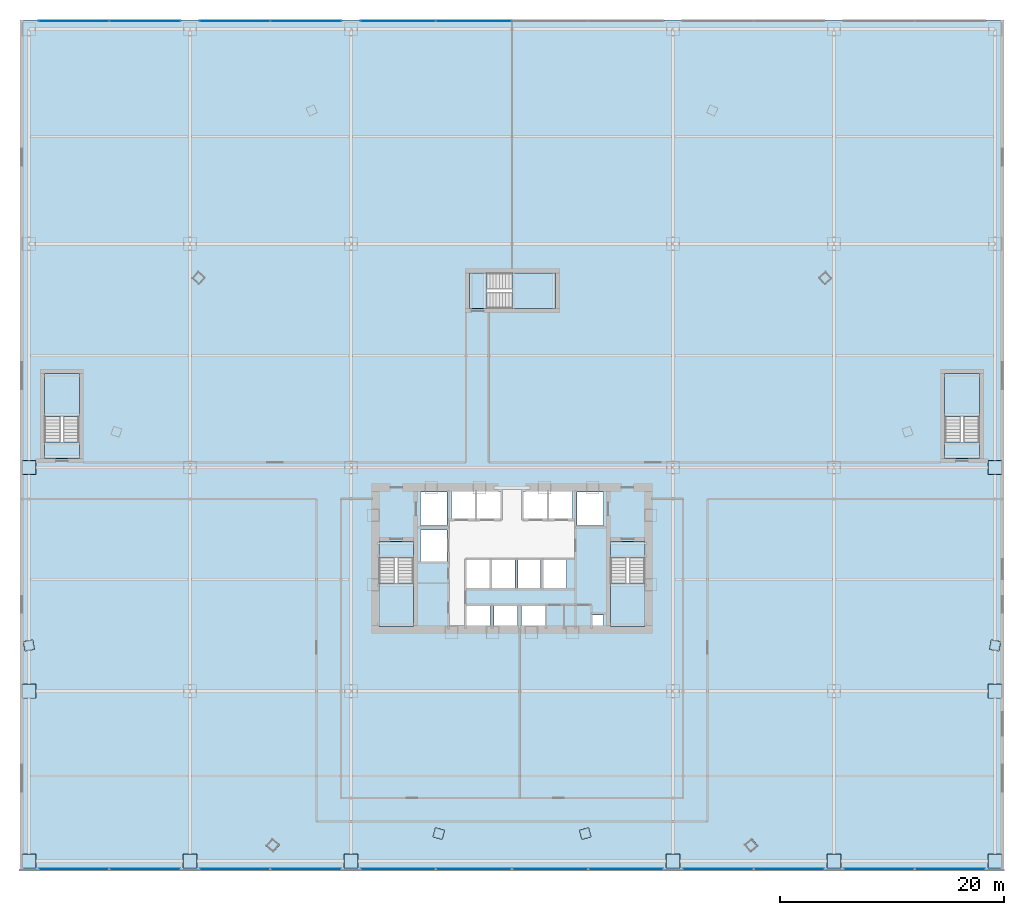
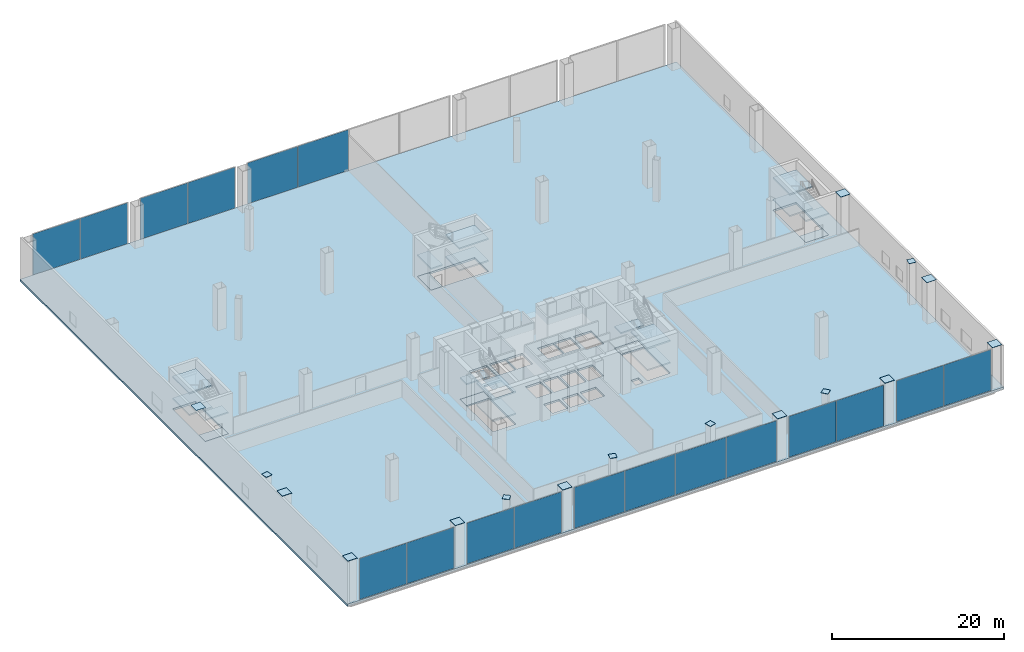
# One storey, part 32 of 41: 34 plates, 21 slabs, 13 elements without a shape of their own.
"""IFC4 building model written with IfcOpenShell, lengths in metres."""

from ifc_helpers import new_model, si_unit, direction, frame, origin, origin_2d, place, context, subcontext, project, spatial, polyline, rectangle, outline, extrude, source, transform, mapped, material, layer, layer_set, type_object, element, aggregate, save


model = new_model("IFC4")

# Units and contexts
model_context = context("Model", 3, precision=1e-05, world=origin(), true_north=direction((0.0, 1.0)))
body_context = subcontext(model_context, "Body", "Model", "MODEL_VIEW")
ifc_project = project(units=[si_unit("LENGTHUNIT", "METRE"), si_unit("AREAUNIT", "SQUARE_METRE"), si_unit("VOLUMEUNIT", "CUBIC_METRE"), si_unit("PLANEANGLEUNIT", "RADIAN"), si_unit("MASSUNIT", "GRAM", prefix="KILO"), si_unit("THERMODYNAMICTEMPERATUREUNIT", "KELVIN"), si_unit("POWERUNIT", "WATT")], contexts=[model_context])

# Site, building, storey
site_placement = place(None, origin())
site = spatial("IfcSite", under=ifc_project, at=site_placement, CompositionType="ELEMENT")
building_placement = place(site_placement, origin())
building = spatial("IfcBuilding", under=site, at=building_placement, Name="Yunzhuo Pagoda Commons", CompositionType="ELEMENT")
storey_placement = place(building_placement, frame((0.0, 0.0, 19.199951171875)))
storey = spatial("IfcBuildingStorey", under=building, at=storey_placement, Name="L05", CompositionType="ELEMENT", Elevation=19.199951171875)

# Stair, slabs
ifc_material_1 = material(Name="Concrete C40", Category="concrete")
stair_type_1 = type_object("IfcStairType", Name="ST-C1 Core Smokeproof Stair ST1", PredefinedType="HALF_TURN_STAIR", material=ifc_material_1)
stair_1_placement = place(storey_placement, origin())
stair_1 = element("IfcStair", 1, at=stair_1_placement, inside=storey, type_object=stair_type_1, Name="L05 Core smokeproof stair ST1", PredefinedType="HALF_TURN_STAIR")
ifc_layer_1 = layer(ifc_material_1, 0.199951171875)
ifc_layer_set_1 = layer_set([ifc_layer_1], Name="Concrete C40")
slab_type_1 = type_object("IfcSlabType", Name="SL-LND1 Stair Landing Slab 200", PredefinedType="LANDING", material=ifc_layer_set_1)
slab_1_placement = place(storey_placement, frame((0.0, 0.0, 1.35009765625)))
slab_1 = element("IfcSlab", 2, at=slab_1_placement, type_object=slab_type_1, Name="ST1 landing 1", PredefinedType="LANDING", context=body_context, shape_type="SweptSolid", body=[
    extrude(outline(polyline([(36.10009765625, 31.659912109375), (36.10009765625, 27.800048828125), (39.199951171875, 27.800048828125), (39.199951171875, 31.659912109375), (36.10009765625, 31.659912109375)])), origin(), (0.0, 0.0, 1.0), 0.199951171875),
])
slab_2_placement = place(storey_placement, frame((0.0, 0.0, 2.900146484375)))
slab_2 = element("IfcSlab", 3, at=slab_2_placement, type_object=slab_type_1, Name="ST1 landing 2", PredefinedType="LANDING", context=body_context, shape_type="SweptSolid", body=[
    extrude(outline(polyline([(36.10009765625, 35.39990234375), (36.10009765625, 33.89990234375), (39.199951171875, 33.89990234375), (39.199951171875, 35.39990234375), (36.10009765625, 35.39990234375)])), origin(), (0.0, 0.0, 1.0), 0.199951171875),
])
slab_3_placement = place(storey_placement, frame((0.0, 0.0, 4.449951171875)))
slab_3 = element("IfcSlab", 4, at=slab_3_placement, type_object=slab_type_1, Name="ST1 landing 3", PredefinedType="LANDING", context=body_context, shape_type="SweptSolid", body=[
    extrude(outline(polyline([(36.10009765625, 31.659912109375), (36.10009765625, 27.800048828125), (39.199951171875, 27.800048828125), (39.199951171875, 31.659912109375), (36.10009765625, 31.659912109375)])), origin(), (0.0, 0.0, 1.0), 0.2001953125),
])
slab_4_placement = place(storey_placement, frame((0.0, 0.0, -0.199951171875)))
slab_4 = element("IfcSlab", 5, at=slab_4_placement, type_object=slab_type_1, Name="ST1 floor landing L05", PredefinedType="LANDING", context=body_context, shape_type="SweptSolid", body=[
    extrude(outline(polyline([(36.10009765625, 35.39990234375), (36.10009765625, 33.89990234375), (39.199951171875, 33.89990234375), (39.199951171875, 35.39990234375), (36.10009765625, 35.39990234375)])), origin(), (0.0, 0.0, 1.0), 0.199951171875),
])
aggregate(stair_1, [slab_1, slab_2, slab_3, slab_4])

stair_type_2 = type_object("IfcStairType", Name="ST-C2 Core Smokeproof Stair ST2", PredefinedType="HALF_TURN_STAIR", material=ifc_material_1)
stair_2_placement = place(storey_placement, origin())
stair_2 = element("IfcStair", 6, at=stair_2_placement, inside=storey, type_object=stair_type_2, Name="L05 Core smokeproof stair ST2", PredefinedType="HALF_TURN_STAIR")
ifc_layer_2 = layer(ifc_material_1, 0.201904296875)
ifc_layer_set_2 = layer_set([ifc_layer_2], Name="Concrete C40")
slab_type_2 = type_object("IfcSlabType", Name="SL-LND2 Stair Landing Slab 202", PredefinedType="LANDING", material=ifc_layer_set_2)
slab_5_placement = place(storey_placement, frame((0.0, 0.0, 1.35009765625)))
slab_5 = element("IfcSlab", 7, at=slab_5_placement, type_object=slab_type_2, Name="ST2 landing 1", PredefinedType="LANDING", context=body_context, shape_type="SweptSolid", body=[
    extrude(outline(polyline([(56.800048828125, 31.659912109375), (56.800048828125, 27.800048828125), (59.89990234375, 27.800048828125), (59.89990234375, 31.659912109375), (56.800048828125, 31.659912109375)])), origin(), (0.0, 0.0, 1.0), 0.199951171875),
])
slab_6_placement = place(storey_placement, frame((0.0, 0.0, 2.900146484375)))
slab_6 = element("IfcSlab", 8, at=slab_6_placement, type_object=slab_type_2, Name="ST2 landing 2", PredefinedType="LANDING", context=body_context, shape_type="SweptSolid", body=[
    extrude(outline(polyline([(56.800048828125, 35.39990234375), (56.800048828125, 33.89990234375), (59.89990234375, 33.89990234375), (59.89990234375, 35.39990234375), (56.800048828125, 35.39990234375)])), origin(), (0.0, 0.0, 1.0), 0.199951171875),
])
slab_7_placement = place(storey_placement, frame((0.0, 0.0, 4.449951171875)))
slab_7 = element("IfcSlab", 9, at=slab_7_placement, type_object=slab_type_2, Name="ST2 landing 3", PredefinedType="LANDING", context=body_context, shape_type="SweptSolid", body=[
    extrude(outline(polyline([(56.800048828125, 31.659912109375), (56.800048828125, 27.800048828125), (59.89990234375, 27.800048828125), (59.89990234375, 31.659912109375), (56.800048828125, 31.659912109375)])), origin(), (0.0, 0.0, 1.0), 0.2001953125),
])
slab_8_placement = place(storey_placement, frame((0.0, 0.0, -0.199951171875)))
slab_8 = element("IfcSlab", 10, at=slab_8_placement, type_object=slab_type_2, Name="ST2 floor landing L05", PredefinedType="LANDING", context=body_context, shape_type="SweptSolid", body=[
    extrude(outline(polyline([(56.800048828125, 35.39990234375), (56.800048828125, 33.89990234375), (59.89990234375, 33.89990234375), (59.89990234375, 35.39990234375), (56.800048828125, 35.39990234375)])), origin(), (0.0, 0.0, 1.0), 0.199951171875),
])
aggregate(stair_2, [slab_5, slab_6, slab_7, slab_8])

stair_type_3 = type_object("IfcStairType", Name="ST-P3 Podium Exit Stair PS3", PredefinedType="HALF_TURN_STAIR", material=ifc_material_1)
stair_3_placement = place(storey_placement, origin())
stair_3 = element("IfcStair", 11, at=stair_3_placement, inside=storey, type_object=stair_type_3, Name="L05 Podium exit stair PS3", PredefinedType="HALF_TURN_STAIR")
ifc_layer_3 = layer(ifc_material_1, 0.2060546875)
ifc_layer_set_3 = layer_set([ifc_layer_3], Name="Concrete C40")
slab_type_3 = type_object("IfcSlabType", Name="SL-LND3 Podium Landing Slab 206", PredefinedType="LANDING", material=ifc_layer_set_3)
slab_9_placement = place(storey_placement, frame((0.0, 0.0, 1.35009765625)))
slab_9 = element("IfcSlab", 12, at=slab_9_placement, type_object=slab_type_3, Name="PS3 landing 1", PredefinedType="LANDING", context=body_context, shape_type="SweptSolid", body=[
    extrude(outline(polyline([(9.300048828125, 46.5400390625), (9.300048828125, 50.39990234375), (6.199951171875, 50.39990234375), (6.199951171875, 46.5400390625), (9.300048828125, 46.5400390625)])), origin(), (0.0, 0.0, 1.0), 0.199951171875),
])
slab_10_placement = place(storey_placement, frame((0.0, 0.0, 2.900146484375)))
slab_10 = element("IfcSlab", 13, at=slab_10_placement, type_object=slab_type_3, Name="PS3 landing 2", PredefinedType="LANDING", context=body_context, shape_type="SweptSolid", body=[
    extrude(outline(polyline([(9.300048828125, 42.800048828125), (9.300048828125, 44.300048828125), (6.199951171875, 44.300048828125), (6.199951171875, 42.800048828125), (9.300048828125, 42.800048828125)])), origin(), (0.0, 0.0, 1.0), 0.199951171875),
])
slab_11_placement = place(storey_placement, frame((0.0, 0.0, 4.449951171875)))
slab_11 = element("IfcSlab", 14, at=slab_11_placement, type_object=slab_type_3, Name="PS3 landing 3", PredefinedType="LANDING", context=body_context, shape_type="SweptSolid", body=[
    extrude(outline(polyline([(9.300048828125, 46.5400390625), (9.300048828125, 50.39990234375), (6.199951171875, 50.39990234375), (6.199951171875, 46.5400390625), (9.300048828125, 46.5400390625)])), origin(), (0.0, 0.0, 1.0), 0.2001953125),
])
slab_12_placement = place(storey_placement, frame((0.0, 0.0, -0.199951171875)))
slab_12 = element("IfcSlab", 15, at=slab_12_placement, type_object=slab_type_3, Name="PS3 floor landing L05", PredefinedType="LANDING", context=body_context, shape_type="SweptSolid", body=[
    extrude(outline(polyline([(9.300048828125, 42.800048828125), (9.300048828125, 44.300048828125), (6.199951171875, 44.300048828125), (6.199951171875, 42.800048828125), (9.300048828125, 42.800048828125)])), origin(), (0.0, 0.0, 1.0), 0.199951171875),
])
aggregate(stair_3, [slab_9, slab_10, slab_11, slab_12])

stair_type_4 = type_object("IfcStairType", Name="ST-P4 Podium Exit Stair PS4", PredefinedType="HALF_TURN_STAIR", material=ifc_material_1)
stair_4_placement = place(storey_placement, origin())
stair_4 = element("IfcStair", 16, at=stair_4_placement, inside=storey, type_object=stair_type_4, Name="L05 Podium exit stair PS4", PredefinedType="HALF_TURN_STAIR")
ifc_layer_4 = layer(ifc_material_1, 0.2080078125)
ifc_layer_set_4 = layer_set([ifc_layer_4], Name="Concrete C40")
slab_type_4 = type_object("IfcSlabType", Name="SL-LND4 Podium Landing Slab 208", PredefinedType="LANDING", material=ifc_layer_set_4)
slab_13_placement = place(storey_placement, frame((0.0, 0.0, 1.35009765625)))
slab_13 = element("IfcSlab", 17, at=slab_13_placement, type_object=slab_type_4, Name="PS4 landing 1", PredefinedType="LANDING", context=body_context, shape_type="SweptSolid", body=[
    extrude(outline(polyline([(89.800048828125, 46.5400390625), (89.800048828125, 50.39990234375), (86.699951171875, 50.39990234375), (86.699951171875, 46.5400390625), (89.800048828125, 46.5400390625)])), origin(), (0.0, 0.0, 1.0), 0.199951171875),
])
slab_14_placement = place(storey_placement, frame((0.0, 0.0, 2.900146484375)))
slab_14 = element("IfcSlab", 18, at=slab_14_placement, type_object=slab_type_4, Name="PS4 landing 2", PredefinedType="LANDING", context=body_context, shape_type="SweptSolid", body=[
    extrude(outline(polyline([(89.800048828125, 42.800048828125), (89.800048828125, 44.300048828125), (86.699951171875, 44.300048828125), (86.699951171875, 42.800048828125), (89.800048828125, 42.800048828125)])), origin(), (0.0, 0.0, 1.0), 0.199951171875),
])
slab_15_placement = place(storey_placement, frame((0.0, 0.0, 4.449951171875)))
slab_15 = element("IfcSlab", 19, at=slab_15_placement, type_object=slab_type_4, Name="PS4 landing 3", PredefinedType="LANDING", context=body_context, shape_type="SweptSolid", body=[
    extrude(outline(polyline([(89.800048828125, 46.5400390625), (89.800048828125, 50.39990234375), (86.699951171875, 50.39990234375), (86.699951171875, 46.5400390625), (89.800048828125, 46.5400390625)])), origin(), (0.0, 0.0, 1.0), 0.2001953125),
])
slab_16_placement = place(storey_placement, frame((0.0, 0.0, -0.199951171875)))
slab_16 = element("IfcSlab", 20, at=slab_16_placement, type_object=slab_type_4, Name="PS4 floor landing L05", PredefinedType="LANDING", context=body_context, shape_type="SweptSolid", body=[
    extrude(outline(polyline([(89.800048828125, 42.800048828125), (89.800048828125, 44.300048828125), (86.699951171875, 44.300048828125), (86.699951171875, 42.800048828125), (89.800048828125, 42.800048828125)])), origin(), (0.0, 0.0, 1.0), 0.199951171875),
])
aggregate(stair_4, [slab_13, slab_14, slab_15, slab_16])

stair_type_5 = type_object("IfcStairType", Name="ST-C3 North Tower Smokeproof Stair ST3", PredefinedType="HALF_TURN_STAIR", material=ifc_material_1)
stair_5_placement = place(storey_placement, origin())
stair_5 = element("IfcStair", 21, at=stair_5_placement, inside=storey, type_object=stair_type_5, Name="L05 North tower smokeproof stair ST3", PredefinedType="HALF_TURN_STAIR")
ifc_layer_5 = layer(ifc_material_1, 0.2041015625)
ifc_layer_set_5 = layer_set([ifc_layer_5], Name="Concrete C40")
slab_type_5 = type_object("IfcSlabType", Name="SL-LND5 North Landing Slab 204", PredefinedType="LANDING", material=ifc_layer_set_5)
slab_17_placement = place(storey_placement, frame((0.0, 0.0, 1.35009765625)))
slab_17 = element("IfcSlab", 22, at=slab_17_placement, type_object=slab_type_5, Name="ST3 landing 1", PredefinedType="LANDING", context=body_context, shape_type="SweptSolid", body=[
    extrude(outline(polyline([(47.989990234375, 56.199951171875), (51.89990234375, 56.199951171875), (51.89990234375, 59.39990234375), (47.989990234375, 59.39990234375), (47.989990234375, 56.199951171875)])), origin(), (0.0, 0.0, 1.0), 0.199951171875),
])
slab_18_placement = place(storey_placement, frame((0.0, 0.0, 2.900146484375)))
slab_18 = element("IfcSlab", 23, at=slab_18_placement, type_object=slab_type_5, Name="ST3 landing 2", PredefinedType="LANDING", context=body_context, shape_type="SweptSolid", body=[
    extrude(outline(polyline([(44.199951171875, 56.199951171875), (45.75, 56.199951171875), (45.75, 59.39990234375), (44.199951171875, 59.39990234375), (44.199951171875, 56.199951171875)])), origin(), (0.0, 0.0, 1.0), 0.199951171875),
])
slab_19_placement = place(storey_placement, frame((0.0, 0.0, 4.449951171875)))
slab_19 = element("IfcSlab", 24, at=slab_19_placement, type_object=slab_type_5, Name="ST3 landing 3", PredefinedType="LANDING", context=body_context, shape_type="SweptSolid", body=[
    extrude(outline(polyline([(47.989990234375, 56.199951171875), (51.89990234375, 56.199951171875), (51.89990234375, 59.39990234375), (47.989990234375, 59.39990234375), (47.989990234375, 56.199951171875)])), origin(), (0.0, 0.0, 1.0), 0.2001953125),
])
slab_20_placement = place(storey_placement, frame((0.0, 0.0, -0.199951171875)))
slab_20 = element("IfcSlab", 25, at=slab_20_placement, type_object=slab_type_5, Name="ST3 floor landing L05", PredefinedType="LANDING", context=body_context, shape_type="SweptSolid", body=[
    extrude(outline(polyline([(44.199951171875, 56.199951171875), (45.75, 56.199951171875), (45.75, 59.39990234375), (44.199951171875, 59.39990234375), (44.199951171875, 56.199951171875)])), origin(), (0.0, 0.0, 1.0), 0.199951171875),
])
aggregate(stair_5, [slab_17, slab_18, slab_19, slab_20])

# Slab
ifc_layer_6 = layer(ifc_material_1, 0.280029296875)
ifc_layer_set_6 = layer_set([ifc_layer_6], Name="Concrete C40")
slab_type_6 = type_object("IfcSlabType", Name="SL-POD Podium & Refuge Floor Slab 280", PredefinedType="FLOOR", material=ifc_layer_set_6)
slab_21_placement = place(storey_placement, frame((0.0, 0.0, -0.280029296875)))
element("IfcSlab", 26, at=slab_21_placement, inside=storey, type_object=slab_type_6, Name="L05 structural floor slab", PredefinedType="FLOOR", context=body_context, shape_type="SweptSolid", body=[
    extrude(outline(polyline([(4.0, 82.0), (92.0, 82.0), (92.0, 6.0), (4.0, 6.0), (4.0, 82.0)]), holes=[polyline([(46.050048828125, 27.60009765625), (46.050048828125, 29.64990234375), (43.949951171875, 29.64990234375), (43.949951171875, 27.60009765625), (46.050048828125, 27.60009765625)]), polyline([(48.5, 27.60009765625), (48.5, 29.64990234375), (46.39990234375, 29.64990234375), (46.39990234375, 27.60009765625), (48.5, 27.60009765625)]), polyline([(36.10009765625, 27.800048828125), (39.199951171875, 27.800048828125), (39.199951171875, 35.39990234375), (36.10009765625, 35.39990234375), (36.10009765625, 27.800048828125)]), polyline([(43.929931640625, 31.199951171875), (45.969970703125, 31.199951171875), (45.969970703125, 33.800048828125), (43.929931640625, 33.800048828125), (43.929931640625, 31.199951171875)]), polyline([(46.22998046875, 31.199951171875), (48.27001953125, 31.199951171875), (48.27001953125, 33.800048828125), (46.22998046875, 33.800048828125), (46.22998046875, 31.199951171875)]), polyline([(42.199951171875, 33.60009765625), (42.199951171875, 36.39990234375), (39.800048828125, 36.39990234375), (39.800048828125, 33.60009765625), (42.199951171875, 33.60009765625)]), polyline([(42.199951171875, 36.800048828125), (42.199951171875, 39.800048828125), (39.800048828125, 39.800048828125), (39.800048828125, 36.800048828125), (42.199951171875, 36.800048828125)]), polyline([(44.699951171875, 37.39990234375), (44.699951171875, 39.85009765625), (42.60009765625, 39.85009765625), (42.60009765625, 37.39990234375), (44.699951171875, 37.39990234375)]), polyline([(44.85009765625, 37.39990234375), (46.949951171875, 37.39990234375), (46.949951171875, 39.85009765625), (44.85009765625, 39.85009765625), (44.85009765625, 37.39990234375)]), polyline([(9.300048828125, 42.800048828125), (9.300048828125, 50.39990234375), (6.199951171875, 50.39990234375), (6.199951171875, 42.800048828125), (9.300048828125, 42.800048828125)]), polyline([(56.179931640625, 27.699951171875), (56.179931640625, 28.800048828125), (55.179931640625, 28.800048828125), (55.179931640625, 27.699951171875), (56.179931640625, 27.699951171875)]), polyline([(50.949951171875, 27.60009765625), (50.949951171875, 29.64990234375), (48.85009765625, 29.64990234375), (48.85009765625, 27.60009765625), (50.949951171875, 27.60009765625)]), polyline([(56.800048828125, 27.800048828125), (59.89990234375, 27.800048828125), (59.89990234375, 35.39990234375), (56.800048828125, 35.39990234375), (56.800048828125, 27.800048828125)]), polyline([(48.530029296875, 31.199951171875), (50.570068359375, 31.199951171875), (50.570068359375, 33.800048828125), (48.530029296875, 33.800048828125), (48.530029296875, 31.199951171875)]), polyline([(50.830078125, 31.199951171875), (52.8701171875, 31.199951171875), (52.8701171875, 33.800048828125), (50.830078125, 33.800048828125), (50.830078125, 31.199951171875)]), polyline([(56.199951171875, 36.800048828125), (56.199951171875, 39.800048828125), (53.800048828125, 39.800048828125), (53.800048828125, 36.800048828125), (56.199951171875, 36.800048828125)]), polyline([(51.14990234375, 37.39990234375), (51.14990234375, 39.85009765625), (49.050048828125, 39.85009765625), (49.050048828125, 37.39990234375), (51.14990234375, 37.39990234375)]), polyline([(53.39990234375, 37.39990234375), (53.39990234375, 39.85009765625), (51.300048828125, 39.85009765625), (51.300048828125, 37.39990234375), (53.39990234375, 37.39990234375)]), polyline([(89.800048828125, 42.800048828125), (89.800048828125, 50.39990234375), (86.699951171875, 50.39990234375), (86.699951171875, 42.800048828125), (89.800048828125, 42.800048828125)]), polyline([(44.199951171875, 56.199951171875), (51.89990234375, 56.199951171875), (51.89990234375, 59.39990234375), (44.199951171875, 59.39990234375), (44.199951171875, 56.199951171875)])]), origin(), (0.0, 0.0, 1.0), 0.280029296875),
])

# Plates
ifc_material_2 = material(Name="Structural steel Q420B", Category="steel")
ifc_layer_7 = layer(ifc_material_2, 0.0400390625)
ifc_layer_set_7 = layer_set([ifc_layer_7], Name="Structural steel Q420B")
plate_type_1 = type_object("IfcPlateType", Name="CP-BOX1 Column Top Cap Plate 1260x1260x40", PredefinedType="USERDEFINED", material=ifc_layer_set_7)
shared_shape_1 = source(origin(), body_context, "Body", "SweptSolid", [
    extrude(rectangle(XDim=1.260009765625, YDim=1.260009765625, at=origin_2d()), origin(), (0.0, 0.0, 1.0), 0.0400390625),
])
for number, where, z_axis, x_axis, name in (
    (27, (4.800048828125, 6.800048828125, 5.91796875), (0.0, 0.0, 1.0), (1.0, 0.0, 0.0), "L05 podium column top cap plate P1_1"),
    (28, (4.800048828125, 22.0, 5.91796875), (0.0, 0.0, 1.0), (1.0, 0.0, 0.0), "L05 podium column top cap plate P1_2"),
    (29, (4.800048828125, 42.0, 5.91796875), (0.0, 0.0, 1.0), (1.0, 0.0, 0.0), "L05 podium column top cap plate P1_3"),
    (30, (19.199951171875, 6.800048828125, 5.91796875), (0.0, 0.0, 1.0), (1.0, 0.0, 0.0), "L05 podium column top cap plate P2_1"),
    (31, (33.60009765625, 6.800048828125, 5.91796875), (0.0, 0.0, 1.0), (1.0, 0.0, 0.0), "L05 podium column top cap plate P3_1"),
    (32, (62.39990234375, 6.800048828125, 5.91796875), (0.0, 0.0, 1.0), (1.0, 0.0, 0.0), "L05 podium column top cap plate P4_1"),
    (33, (76.800048828125, 6.800048828125, 5.91796875), (0.0, 0.0, 1.0), (1.0, 0.0, 0.0), "L05 podium column top cap plate P5_1"),
    (34, (91.199951171875, 6.800048828125, 5.91796875), (0.0, 0.0, 1.0), (1.0, 0.0, 0.0), "L05 podium column top cap plate P6_1"),
    (35, (91.199951171875, 22.0, 5.91796875), (0.0, 0.0, 1.0), (1.0, 0.0, 0.0), "L05 podium column top cap plate P6_2"),
    (36, (91.199951171875, 42.0, 5.91796875), (0.0, 0.0, 1.0), (1.0, 0.0, 0.0), "L05 podium column top cap plate P6_3"),
):
    element("IfcPlate", number, at=place(storey_placement, frame(where, z_axis=z_axis, x_axis=x_axis)), inside=storey, type_object=plate_type_1, Name=name, ObjectType="CAP_PLATE", PredefinedType="USERDEFINED", context=body_context, shape_type="MappedRepresentation", body=[
        mapped(shared_shape_1, transform((0.0, 0.0, 0.0), scale=1.0)),
    ])
shared_shape_2 = source(origin(), body_context, "Body", "SweptSolid", [
    extrude(rectangle(XDim=0.860107421875, YDim=0.860107421875, at=origin_2d()), origin(), (0.0, 0.0, 1.0), 0.0400390625),
])
for number, where, z_axis, x_axis, name in (
    (37, (26.60302734375, 8.199951171875, 5.91796875), (0.0, 0.0, 1.0), (0.766044443119, -0.642787609687, 0.0), "L05 transfer column top cap plate PR_F1C1"),
    (38, (41.45166015625, 9.260986328125, 5.91796875), (0.0, 0.0, 1.0), (0.965925826289, -0.258819045103, 0.0), "L05 transfer column top cap plate PR_F1C2"),
    (39, (54.54833984375, 9.260986328125, 5.91796875), (0.0, 0.0, 1.0), (0.965925826289, 0.258819045103, 0.0), "L05 transfer column top cap plate PR_F1C3"),
    (40, (69.39697265625, 8.199951171875, 5.91796875), (0.0, 0.0, 1.0), (0.766044443119, 0.642787609687, 0.0), "L05 transfer column top cap plate PR_F1C4"),
    (41, (91.198974609375, 26.0830078125, 5.91796875), (0.0, 0.0, 1.0), (0.173648177667, 0.984807753012, 0.0), "L05 transfer column top cap plate PR_F2C1"),
    (42, (4.801025390625, 26.0830078125, 5.91796875), (0.0, 0.0, 1.0), (0.173648177667, -0.984807753012, 0.0), "L05 transfer column top cap plate PR_F3C4"),
):
    element("IfcPlate", number, at=place(storey_placement, frame(where, z_axis=z_axis, x_axis=x_axis)), inside=storey, type_object=plate_type_1, Name=name, ObjectType="CAP_PLATE", PredefinedType="USERDEFINED", context=body_context, shape_type="MappedRepresentation", body=[
        mapped(shared_shape_2, transform((0.0, 0.0, 0.0), scale=1.0)),
    ])

# Curtain wall, plates
ifc_material_3 = material(Name="Anodized aluminium 6063-T6", Category="aluminium")
ifc_layer_8 = layer(ifc_material_3, 0.179931640625)
ifc_layer_set_8 = layer_set([ifc_layer_8], Name="Anodized aluminium 6063-T6")
curtain_wall_type = type_object("IfcCurtainWallType", Name="CW-POD Waterfront Podium Curtain Wall", PredefinedType="NOTDEFINED", material=ifc_layer_set_8)
curtain_wall_1_placement = place(storey_placement, origin())
curtain_wall_1 = element("IfcCurtainWall", 43, at=curtain_wall_1_placement, inside=storey, type_object=curtain_wall_type, Name="L05 curtain wall CW-L05-S1", PredefinedType="NOTDEFINED")
ifc_material_4 = material(Name="Tempered low-e double glazing", Category="glass")
ifc_layer_9 = layer(ifc_material_4, 0.031982421875)
ifc_layer_set_9 = layer_set([ifc_layer_9], Name="Tempered low-e double glazing")
plate_type_2 = type_object("IfcPlateType", Name="CW-POD-P Low-E Double Glazing 32", PredefinedType="CURTAIN_PANEL", material=ifc_layer_set_9)
shared_shape_3 = source(origin(), body_context, "Body", "SweptSolid", [
    extrude(rectangle(XDim=6.302490234375, YDim=0.028076171875, at=origin_2d()), origin(), (0.0, 0.0, 1.0), 5.800048828125),
])
plate_1_placement = place(storey_placement, frame((8.816162109375, 6.080078125, 0.06005859375), z_axis=(0.0, 0.0, 1.0), x_axis=(1.0, 0.0, 0.0)))
plate_1 = element("IfcPlate", 44, at=plate_1_placement, type_object=plate_type_2, Name="CW panel 1.1", PredefinedType="CURTAIN_PANEL", context=body_context, shape_type="MappedRepresentation", body=[
    mapped(shared_shape_3, transform((0.0, 0.0, 0.0), scale=1.0)),
])
plate_2_placement = place(storey_placement, frame((15.183837890625, 6.080078125, 0.06005859375), z_axis=(0.0, 0.0, 1.0), x_axis=(1.0, 0.0, 0.0)))
plate_2 = element("IfcPlate", 45, at=plate_2_placement, type_object=plate_type_2, Name="CW panel 2.1", PredefinedType="CURTAIN_PANEL", context=body_context, shape_type="MappedRepresentation", body=[
    mapped(shared_shape_3, transform((0.0, 0.0, 0.0), scale=1.0)),
])
aggregate(curtain_wall_1, [plate_1, plate_2])

curtain_wall_2_placement = place(storey_placement, origin())
curtain_wall_2 = element("IfcCurtainWall", 46, at=curtain_wall_2_placement, inside=storey, type_object=curtain_wall_type, Name="L05 curtain wall CW-L05-S2", PredefinedType="NOTDEFINED")
plate_3_placement = place(storey_placement, frame((23.21630859375, 6.080078125, 0.06005859375), z_axis=(0.0, 0.0, 1.0), x_axis=(1.0, 0.0, 0.0)))
plate_3 = element("IfcPlate", 47, at=plate_3_placement, type_object=plate_type_2, Name="CW panel 1.1", PredefinedType="CURTAIN_PANEL", context=body_context, shape_type="MappedRepresentation", body=[
    mapped(shared_shape_3, transform((0.0, 0.0, 0.0), scale=1.0)),
])
plate_4_placement = place(storey_placement, frame((29.583740234375, 6.080078125, 0.06005859375), z_axis=(0.0, 0.0, 1.0), x_axis=(1.0, 0.0, 0.0)))
plate_4 = element("IfcPlate", 48, at=plate_4_placement, type_object=plate_type_2, Name="CW panel 2.1", PredefinedType="CURTAIN_PANEL", context=body_context, shape_type="MappedRepresentation", body=[
    mapped(shared_shape_3, transform((0.0, 0.0, 0.0), scale=1.0)),
])
aggregate(curtain_wall_2, [plate_3, plate_4])

curtain_wall_3_placement = place(storey_placement, origin())
curtain_wall_3 = element("IfcCurtainWall", 49, at=curtain_wall_3_placement, inside=storey, type_object=curtain_wall_type, Name="L05 curtain wall CW-L05-S4", PredefinedType="NOTDEFINED")
plate_5_placement = place(storey_placement, frame((66.416259765625, 6.080078125, 0.06005859375), z_axis=(0.0, 0.0, 1.0), x_axis=(1.0, 0.0, 0.0)))
plate_5 = element("IfcPlate", 50, at=plate_5_placement, type_object=plate_type_2, Name="CW panel 1.1", PredefinedType="CURTAIN_PANEL", context=body_context, shape_type="MappedRepresentation", body=[
    mapped(shared_shape_3, transform((0.0, 0.0, 0.0), scale=1.0)),
])
plate_6_placement = place(storey_placement, frame((72.78369140625, 6.080078125, 0.06005859375), z_axis=(0.0, 0.0, 1.0), x_axis=(1.0, 0.0, 0.0)))
plate_6 = element("IfcPlate", 51, at=plate_6_placement, type_object=plate_type_2, Name="CW panel 2.1", PredefinedType="CURTAIN_PANEL", context=body_context, shape_type="MappedRepresentation", body=[
    mapped(shared_shape_3, transform((0.0, 0.0, 0.0), scale=1.0)),
])
aggregate(curtain_wall_3, [plate_5, plate_6])

curtain_wall_4_placement = place(storey_placement, origin())
curtain_wall_4 = element("IfcCurtainWall", 52, at=curtain_wall_4_placement, inside=storey, type_object=curtain_wall_type, Name="L05 curtain wall CW-L05-S5", PredefinedType="NOTDEFINED")
plate_7_placement = place(storey_placement, frame((80.816162109375, 6.080078125, 0.06005859375), z_axis=(0.0, 0.0, 1.0), x_axis=(1.0, 0.0, 0.0)))
plate_7 = element("IfcPlate", 53, at=plate_7_placement, type_object=plate_type_2, Name="CW panel 1.1", PredefinedType="CURTAIN_PANEL", context=body_context, shape_type="MappedRepresentation", body=[
    mapped(shared_shape_3, transform((0.0, 0.0, 0.0), scale=1.0)),
])
plate_8_placement = place(storey_placement, frame((87.183837890625, 6.080078125, 0.06005859375), z_axis=(0.0, 0.0, 1.0), x_axis=(1.0, 0.0, 0.0)))
plate_8 = element("IfcPlate", 54, at=plate_8_placement, type_object=plate_type_2, Name="CW panel 2.1", PredefinedType="CURTAIN_PANEL", context=body_context, shape_type="MappedRepresentation", body=[
    mapped(shared_shape_3, transform((0.0, 0.0, 0.0), scale=1.0)),
])
aggregate(curtain_wall_4, [plate_7, plate_8])

curtain_wall_5_placement = place(storey_placement, origin())
curtain_wall_5 = element("IfcCurtainWall", 55, at=curtain_wall_5_placement, inside=storey, type_object=curtain_wall_type, Name="L05 curtain wall CW-L05-N1", PredefinedType="NOTDEFINED")
plate_9_placement = place(storey_placement, frame((8.816162109375, 81.919921875, 0.06005859375), z_axis=(0.0, 0.0, 1.0), x_axis=(1.0, 0.0, 0.0)))
plate_9 = element("IfcPlate", 56, at=plate_9_placement, type_object=plate_type_2, Name="CW panel 1.1", PredefinedType="CURTAIN_PANEL", context=body_context, shape_type="MappedRepresentation", body=[
    mapped(shared_shape_3, transform((0.0, 0.0, 0.0), scale=1.0)),
])
plate_10_placement = place(storey_placement, frame((15.183837890625, 81.919921875, 0.06005859375), z_axis=(0.0, 0.0, 1.0), x_axis=(1.0, 0.0, 0.0)))
plate_10 = element("IfcPlate", 57, at=plate_10_placement, type_object=plate_type_2, Name="CW panel 2.1", PredefinedType="CURTAIN_PANEL", context=body_context, shape_type="MappedRepresentation", body=[
    mapped(shared_shape_3, transform((0.0, 0.0, 0.0), scale=1.0)),
])
aggregate(curtain_wall_5, [plate_9, plate_10])

curtain_wall_6_placement = place(storey_placement, origin())
curtain_wall_6 = element("IfcCurtainWall", 58, at=curtain_wall_6_placement, inside=storey, type_object=curtain_wall_type, Name="L05 curtain wall CW-L05-N2", PredefinedType="NOTDEFINED")
plate_11_placement = place(storey_placement, frame((23.21630859375, 81.919921875, 0.06005859375), z_axis=(0.0, 0.0, 1.0), x_axis=(1.0, 0.0, 0.0)))
plate_11 = element("IfcPlate", 59, at=plate_11_placement, type_object=plate_type_2, Name="CW panel 1.1", PredefinedType="CURTAIN_PANEL", context=body_context, shape_type="MappedRepresentation", body=[
    mapped(shared_shape_3, transform((0.0, 0.0, 0.0), scale=1.0)),
])
plate_12_placement = place(storey_placement, frame((29.583740234375, 81.919921875, 0.06005859375), z_axis=(0.0, 0.0, 1.0), x_axis=(1.0, 0.0, 0.0)))
plate_12 = element("IfcPlate", 60, at=plate_12_placement, type_object=plate_type_2, Name="CW panel 2.1", PredefinedType="CURTAIN_PANEL", context=body_context, shape_type="MappedRepresentation", body=[
    mapped(shared_shape_3, transform((0.0, 0.0, 0.0), scale=1.0)),
])
aggregate(curtain_wall_6, [plate_11, plate_12])

curtain_wall_7_placement = place(storey_placement, origin())
curtain_wall_7 = element("IfcCurtainWall", 61, at=curtain_wall_7_placement, inside=storey, type_object=curtain_wall_type, Name="L05 curtain wall CW-L05-S3", PredefinedType="NOTDEFINED")
shared_shape_4 = source(origin(), body_context, "Body", "SweptSolid", [
    extrude(rectangle(XDim=6.702392578125, YDim=0.028076171875, at=origin_2d()), origin(), (0.0, 0.0, 1.0), 5.800048828125),
])
plate_13_placement = place(storey_placement, frame((37.816162109375, 6.080078125, 0.06005859375), z_axis=(0.0, 0.0, 1.0), x_axis=(1.0, 0.0, 0.0)))
plate_13 = element("IfcPlate", 62, at=plate_13_placement, type_object=plate_type_2, Name="CW panel 1.1", PredefinedType="CURTAIN_PANEL", context=body_context, shape_type="MappedRepresentation", body=[
    mapped(shared_shape_4, transform((0.0, 0.0, 0.0), scale=1.0)),
])
plate_14_placement = place(storey_placement, frame((58.183837890625, 6.080078125, 0.06005859375), z_axis=(0.0, 0.0, 1.0), x_axis=(1.0, 0.0, 0.0)))
plate_14 = element("IfcPlate", 63, at=plate_14_placement, type_object=plate_type_2, Name="CW panel 4.1", PredefinedType="CURTAIN_PANEL", context=body_context, shape_type="MappedRepresentation", body=[
    mapped(shared_shape_4, transform((0.0, 0.0, 0.0), scale=1.0)),
])

# Curtain wall, plate
curtain_wall_8_placement = place(storey_placement, origin())
curtain_wall_8 = element("IfcCurtainWall", 64, at=curtain_wall_8_placement, inside=storey, type_object=curtain_wall_type, Name="L05 curtain wall CW-L05-N3", PredefinedType="NOTDEFINED")
plate_15_placement = place(storey_placement, frame((37.816162109375, 81.919921875, 0.06005859375), z_axis=(0.0, 0.0, 1.0), x_axis=(1.0, 0.0, 0.0)))
plate_15 = element("IfcPlate", 65, at=plate_15_placement, type_object=plate_type_2, Name="CW panel 1.1", PredefinedType="CURTAIN_PANEL", context=body_context, shape_type="MappedRepresentation", body=[
    mapped(shared_shape_4, transform((0.0, 0.0, 0.0), scale=1.0)),
])

# Plate
shared_shape_5 = source(origin(), body_context, "Body", "SweptSolid", [
    extrude(rectangle(XDim=6.735107421875, YDim=0.028076171875, at=origin_2d()), origin(), (0.0, 0.0, 1.0), 5.800048828125),
])
plate_16_placement = place(storey_placement, frame((44.60009765625, 6.080078125, 0.06005859375), z_axis=(0.0, 0.0, 1.0), x_axis=(1.0, 0.0, 0.0)))
plate_16 = element("IfcPlate", 66, at=plate_16_placement, type_object=plate_type_2, Name="CW panel 2.1", PredefinedType="CURTAIN_PANEL", context=body_context, shape_type="MappedRepresentation", body=[
    mapped(shared_shape_5, transform((0.0, 0.0, 0.0), scale=1.0)),
])

plate_17_placement = place(storey_placement, frame((51.39990234375, 6.080078125, 0.06005859375), z_axis=(0.0, 0.0, 1.0), x_axis=(1.0, 0.0, 0.0)))
plate_17 = element("IfcPlate", 67, at=plate_17_placement, type_object=plate_type_2, Name="CW panel 3.1", PredefinedType="CURTAIN_PANEL", context=body_context, shape_type="MappedRepresentation", body=[
    mapped(shared_shape_5, transform((0.0, 0.0, 0.0), scale=1.0)),
])

aggregate(curtain_wall_7, [plate_13, plate_16, plate_17, plate_14])

plate_18_placement = place(storey_placement, frame((44.60009765625, 81.919921875, 0.06005859375), z_axis=(0.0, 0.0, 1.0), x_axis=(1.0, 0.0, 0.0)))
plate_18 = element("IfcPlate", 68, at=plate_18_placement, type_object=plate_type_2, Name="CW panel 2.1", PredefinedType="CURTAIN_PANEL", context=body_context, shape_type="MappedRepresentation", body=[
    mapped(shared_shape_5, transform((0.0, 0.0, 0.0), scale=1.0)),
])

aggregate(curtain_wall_8, [plate_15, plate_18])

save(model, "model.ifc")
